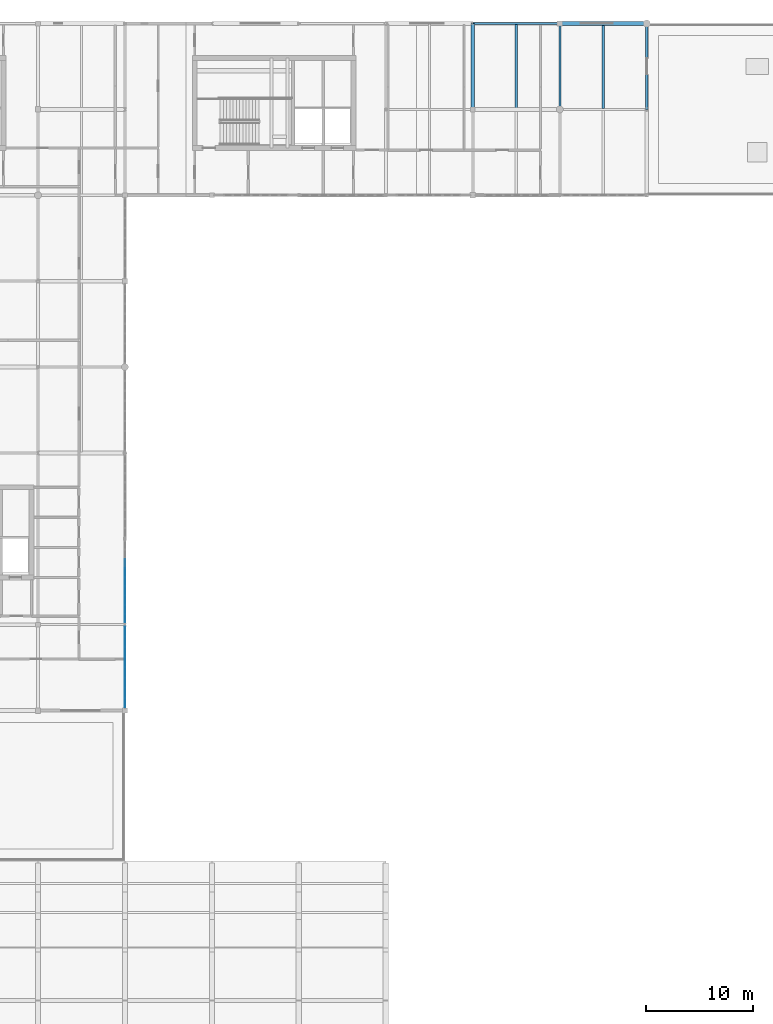
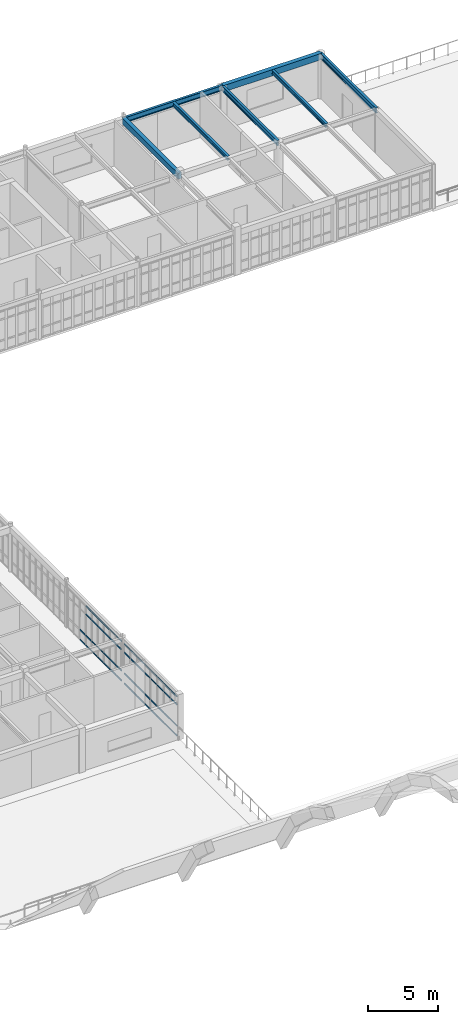
# One storey, part 15 of 36: 58 members, 7 beams, 2 elements without a shape of their own.
"""IFC4 building model written with IfcOpenShell, lengths in metres."""

from ifc_helpers import new_model, si_unit, direction, frame, origin, origin_2d, place, context, subcontext, project, spatial, rectangle, i_section, extrude, material, material_profile, profile_set, type_object, element, aggregate, save


model = new_model("IFC4")

# Units and contexts
model_context = context("Model", 3, precision=1e-05, world=origin(), true_north=direction((0.0, 1.0)))
body_context = subcontext(model_context, "Body", "Model", "MODEL_VIEW")
ifc_project = project(units=[si_unit("LENGTHUNIT", "METRE"), si_unit("AREAUNIT", "SQUARE_METRE"), si_unit("VOLUMEUNIT", "CUBIC_METRE"), si_unit("PLANEANGLEUNIT", "RADIAN"), si_unit("MASSUNIT", "GRAM", prefix="KILO")], contexts=[model_context])

# Site, building, storey
site_placement = place(None, origin())
site = spatial("IfcSite", under=ifc_project, at=site_placement, CompositionType="ELEMENT")
building_placement = place(site_placement, origin())
building = spatial("IfcBuilding", under=site, at=building_placement, Name="Tarnveldt Square Police Headquarters", CompositionType="ELEMENT")
storey_placement = place(building_placement, frame((0.0, 0.0, 24.89990234375)))
storey = spatial("IfcBuildingStorey", under=building, at=storey_placement, Name="L05", CompositionType="ELEMENT", Elevation=24.89990234375)

# Beams
ifc_material_1 = material(Name="Concrete 40 MPa", Category="concrete")
ifc_material_profile_1 = material_profile(ifc_material_1, rectangle(XDim=0.300048828125, YDim=0.5, at=origin_2d()), Name="RC-B300x500")
ifc_profile_set_1 = profile_set([ifc_material_profile_1], Name="Concrete 40 MPa")
beam_type_1 = type_object("IfcBeamType", Name="BM-RC300x500", PredefinedType="BEAM", material=ifc_profile_set_1)
beam_1_placement = place(storey_placement, frame((72.89990234375, 104.0, 3.610107421875), z_axis=(0.0, 1.0, 0.0), x_axis=(-1.0, 0.0, 0.0)))
element("IfcBeam", 1, at=beam_1_placement, inside=storey, type_object=beam_type_1, Name="L06 Grid Girder Y-1075", PredefinedType="BEAM", context=body_context, shape_type="SweptSolid", body=[
    extrude(rectangle(XDim=0.300048828125, YDim=0.5, at=origin_2d()), origin(), (0.0, 0.0, 1.0), 8.0),
])
ifc_material_profile_2 = material_profile(ifc_material_1, rectangle(XDim=0.35009765625, YDim=0.550048828125, at=origin_2d()), Name="RC-B350x550")
ifc_profile_set_2 = profile_set([ifc_material_profile_2], Name="Concrete 40 MPa")
beam_type_2 = type_object("IfcBeamType", Name="BM-RC350x550", PredefinedType="BEAM", material=ifc_profile_set_2)
beam_2_placement = place(storey_placement, frame((81.0, 112.0, 3.585205078125), z_axis=(1.0, 0.0, 0.0), x_axis=(0.0, 1.0, 0.0)))
element("IfcBeam", 2, at=beam_2_placement, inside=storey, type_object=beam_type_2, Name="L06 Grid Girder X-1044", PredefinedType="BEAM", context=body_context, shape_type="SweptSolid", body=[
    extrude(rectangle(XDim=0.35009765625, YDim=0.550048828125, at=origin_2d()), origin(), (0.0, 0.0, 1.0), 8.10009765625),
])
ifc_material_2 = material(Name="Steel 350W", Category="steel")
ifc_material_profile_3 = material_profile(ifc_material_2, i_section(OverallWidth=0.202880859375, OverallDepth=0.346923828125, WebThickness=0.0078125, FlangeThickness=0.013427734375, FilletRadius=0.01611328125, at=origin_2d()), Name="W360x64")
ifc_profile_set_3 = profile_set([ifc_material_profile_3], Name="Steel 350W")
beam_type_3 = type_object("IfcBeamType", Name="BM-W360x64", PredefinedType="JOIST", material=ifc_profile_set_3)
beam_3_placement = place(storey_placement, frame((85.050048828125, 104.080078125, 3.6865234375), z_axis=(0.0, 1.0, 0.0), x_axis=(-1.0, 0.0, 0.0)))
element("IfcBeam", 3, at=beam_3_placement, inside=storey, type_object=beam_type_3, Name="L06 Secondary Floor Joist 0255", PredefinedType="JOIST", context=body_context, shape_type="SweptSolid", body=[
    extrude(i_section(OverallWidth=0.202880859375, OverallDepth=0.346923828125, WebThickness=0.0078125, FlangeThickness=0.013427734375, FilletRadius=0.01611328125, at=origin_2d()), origin(), (0.0, 0.0, 1.0), 7.83984375),
])
ifc_material_profile_4 = material_profile(ifc_material_2, i_section(OverallWidth=0.205078125, OverallDepth=0.35400390625, WebThickness=0.009521484375, FlangeThickness=0.016845703125, FilletRadius=0.01611328125, at=origin_2d()), Name="W360x79")
ifc_profile_set_4 = profile_set([ifc_material_profile_4], Name="Steel 350W")
beam_type_4 = type_object("IfcBeamType", Name="BM-W360x79", PredefinedType="JOIST", material=ifc_profile_set_4)
beam_4_placement = place(storey_placement, frame((76.949951171875, 104.080078125, 3.68310546875), z_axis=(0.0, 1.0, 0.0), x_axis=(-1.0, 0.0, 0.0)))
element("IfcBeam", 4, at=beam_4_placement, inside=storey, type_object=beam_type_4, Name="L06 Secondary Floor Joist 0254", PredefinedType="JOIST", context=body_context, shape_type="SweptSolid", body=[
    extrude(i_section(OverallWidth=0.205078125, OverallDepth=0.35400390625, WebThickness=0.009521484375, FlangeThickness=0.016845703125, FilletRadius=0.01611328125, at=origin_2d()), origin(), (0.0, 0.0, 1.0), 7.83984375),
])
ifc_material_profile_5 = material_profile(ifc_material_2, i_section(OverallWidth=0.19189453125, OverallDepth=0.462890625, WebThickness=0.010498046875, FlangeThickness=0.017578125, FilletRadius=0.01806640625, at=origin_2d()), Name="W460x89")
ifc_profile_set_5 = profile_set([ifc_material_profile_5], Name="Steel 350W")
beam_type_5 = type_object("IfcBeamType", Name="BM-W460x89", PredefinedType="BEAM", material=ifc_profile_set_5)
beam_5_placement = place(storey_placement, frame((72.89990234375, 112.0, 3.628662109375), z_axis=(1.0, 0.0, 0.0), x_axis=(0.0, 1.0, 0.0)))
element("IfcBeam", 5, at=beam_5_placement, inside=storey, type_object=beam_type_5, Name="L06 Grid Girder X-1043", PredefinedType="BEAM", context=body_context, shape_type="SweptSolid", body=[
    extrude(i_section(OverallWidth=0.19189453125, OverallDepth=0.462890625, WebThickness=0.010498046875, FlangeThickness=0.017578125, FilletRadius=0.01806640625, at=origin_2d()), origin(), (0.0, 0.0, 1.0), 8.10009765625),
])
for number, where, z_axis, x_axis, name in (
    (6, (81.0, 104.0, 3.628662109375), (0.0, 1.0, 0.0), (-1.0, 0.0, 0.0), "L06 Grid Girder Y-1077"),
    (7, (89.10009765625, 104.0, 3.628662109375), (0.0, 1.0, 0.0), (-1.0, 0.0, 0.0), "L06 Grid Girder Y-1079"),
):
    element("IfcBeam", number, at=place(storey_placement, frame(where, z_axis=z_axis, x_axis=x_axis)), inside=storey, type_object=beam_type_5, Name=name, PredefinedType="BEAM", context=body_context, shape_type="SweptSolid", body=[
        extrude(i_section(OverallWidth=0.19189453125, OverallDepth=0.462890625, WebThickness=0.010498046875, FlangeThickness=0.017578125, FilletRadius=0.01806640625, at=origin_2d()), origin(), (0.0, 0.0, 1.0), 8.0),
    ])

# Curtain wall, members
ifc_material_3 = material(Name="Triple-glazed low-e laminated vision glass", Category="glass")
curtain_wall_type_1 = type_object("IfcCurtainWallType", Name="CW-UP-761x349", PredefinedType="USERDEFINED", material=ifc_material_3)
curtain_wall_1_placement = place(storey_placement, origin())
curtain_wall_1 = element("IfcCurtainWall", 8, at=curtain_wall_1_placement, inside=storey, type_object=curtain_wall_type_1, Name="L05 Curtain Wall CW-L05-083", ObjectType="GLAZED CURTAIN WALL", PredefinedType="USERDEFINED")
ifc_material_4 = material(Name="Thermally broken anodised aluminium 6063-T6", Category="aluminium")
ifc_material_profile_6 = material_profile(ifc_material_4, rectangle(XDim=0.06494140625, YDim=0.1201171875, at=origin_2d()), Name="CW-T65x120")
ifc_profile_set_6 = profile_set([ifc_material_profile_6], Name="Thermally broken anodised aluminium 6063-T6")
member_type = type_object("IfcMemberType", Name="CWT-65x120", PredefinedType="USERDEFINED", material=ifc_profile_set_6)
member_1_placement = place(storey_placement, frame((40.5, 48.304931640625, 0.03271484375), z_axis=(0.0, 1.0, 0.0), x_axis=(-1.0, 0.0, 0.0)))
member_1 = element("IfcMember", 9, at=member_1_placement, type_object=member_type, Name="CW-UP41 transom 1.1", ObjectType="TRANSOM", PredefinedType="USERDEFINED", context=body_context, shape_type="SweptSolid", body=[
    extrude(rectangle(XDim=0.06494140625, YDim=0.1201171875, at=origin_2d()), origin(), (0.0, 0.0, 1.0), 0.8544921875),
])
member_2_placement = place(storey_placement, frame((40.5, 48.304931640625, 0.900146484375), z_axis=(0.0, 1.0, 0.0), x_axis=(-1.0, 0.0, 0.0)))
member_2 = element("IfcMember", 10, at=member_2_placement, type_object=member_type, Name="CW-UP41 transom 1.2", ObjectType="TRANSOM", PredefinedType="USERDEFINED", context=body_context, shape_type="SweptSolid", body=[
    extrude(rectangle(XDim=0.06494140625, YDim=0.1201171875, at=origin_2d()), origin(), (0.0, 0.0, 1.0), 0.8544921875),
])
member_3_placement = place(storey_placement, frame((40.5, 48.304931640625, 2.739013671875), z_axis=(0.0, 1.0, 0.0), x_axis=(-1.0, 0.0, 0.0)))
member_3 = element("IfcMember", 11, at=member_3_placement, type_object=member_type, Name="CW-UP41 transom 1.3", ObjectType="TRANSOM", PredefinedType="USERDEFINED", context=body_context, shape_type="SweptSolid", body=[
    extrude(rectangle(XDim=0.06494140625, YDim=0.1201171875, at=origin_2d()), origin(), (0.0, 0.0, 1.0), 0.8544921875),
])
member_4_placement = place(storey_placement, frame((40.5, 48.304931640625, 3.45654296875), z_axis=(0.0, 1.0, 0.0), x_axis=(-1.0, 0.0, 0.0)))
member_4 = element("IfcMember", 12, at=member_4_placement, type_object=member_type, Name="CW-UP41 transom 1.4", ObjectType="TRANSOM", PredefinedType="USERDEFINED", context=body_context, shape_type="SweptSolid", body=[
    extrude(rectangle(XDim=0.06494140625, YDim=0.1201171875, at=origin_2d()), origin(), (0.0, 0.0, 1.0), 0.8544921875),
])
member_5_placement = place(storey_placement, frame((40.5, 49.224365234375, 0.03271484375), z_axis=(0.0, 1.0, 0.0), x_axis=(-1.0, 0.0, 0.0)))
member_5 = element("IfcMember", 13, at=member_5_placement, type_object=member_type, Name="CW-UP41 transom 2.1", ObjectType="TRANSOM", PredefinedType="USERDEFINED", context=body_context, shape_type="SweptSolid", body=[
    extrude(rectangle(XDim=0.06494140625, YDim=0.1201171875, at=origin_2d()), origin(), (0.0, 0.0, 1.0), 0.886962890625),
])
member_6_placement = place(storey_placement, frame((40.5, 49.224365234375, 0.900146484375), z_axis=(0.0, 1.0, 0.0), x_axis=(-1.0, 0.0, 0.0)))
member_6 = element("IfcMember", 14, at=member_6_placement, type_object=member_type, Name="CW-UP41 transom 2.2", ObjectType="TRANSOM", PredefinedType="USERDEFINED", context=body_context, shape_type="SweptSolid", body=[
    extrude(rectangle(XDim=0.06494140625, YDim=0.1201171875, at=origin_2d()), origin(), (0.0, 0.0, 1.0), 0.886962890625),
])
member_7_placement = place(storey_placement, frame((40.5, 49.224365234375, 2.739013671875), z_axis=(0.0, 1.0, 0.0), x_axis=(-1.0, 0.0, 0.0)))
member_7 = element("IfcMember", 15, at=member_7_placement, type_object=member_type, Name="CW-UP41 transom 2.3", ObjectType="TRANSOM", PredefinedType="USERDEFINED", context=body_context, shape_type="SweptSolid", body=[
    extrude(rectangle(XDim=0.06494140625, YDim=0.1201171875, at=origin_2d()), origin(), (0.0, 0.0, 1.0), 0.886962890625),
])
member_8_placement = place(storey_placement, frame((40.5, 49.224365234375, 3.45654296875), z_axis=(0.0, 1.0, 0.0), x_axis=(-1.0, 0.0, 0.0)))
member_8 = element("IfcMember", 16, at=member_8_placement, type_object=member_type, Name="CW-UP41 transom 2.4", ObjectType="TRANSOM", PredefinedType="USERDEFINED", context=body_context, shape_type="SweptSolid", body=[
    extrude(rectangle(XDim=0.06494140625, YDim=0.1201171875, at=origin_2d()), origin(), (0.0, 0.0, 1.0), 0.886962890625),
])
member_9_placement = place(storey_placement, frame((40.5, 50.17626953125, 0.03271484375), z_axis=(0.0, 1.0, 0.0), x_axis=(-1.0, 0.0, 0.0)))
member_9 = element("IfcMember", 17, at=member_9_placement, type_object=member_type, Name="CW-UP41 transom 3.1", ObjectType="TRANSOM", PredefinedType="USERDEFINED", context=body_context, shape_type="SweptSolid", body=[
    extrude(rectangle(XDim=0.06494140625, YDim=0.1201171875, at=origin_2d()), origin(), (0.0, 0.0, 1.0), 0.886962890625),
])
member_10_placement = place(storey_placement, frame((40.5, 50.17626953125, 0.900146484375), z_axis=(0.0, 1.0, 0.0), x_axis=(-1.0, 0.0, 0.0)))
member_10 = element("IfcMember", 18, at=member_10_placement, type_object=member_type, Name="CW-UP41 transom 3.2", ObjectType="TRANSOM", PredefinedType="USERDEFINED", context=body_context, shape_type="SweptSolid", body=[
    extrude(rectangle(XDim=0.06494140625, YDim=0.1201171875, at=origin_2d()), origin(), (0.0, 0.0, 1.0), 0.886962890625),
])
member_11_placement = place(storey_placement, frame((40.5, 50.17626953125, 2.739013671875), z_axis=(0.0, 1.0, 0.0), x_axis=(-1.0, 0.0, 0.0)))
member_11 = element("IfcMember", 19, at=member_11_placement, type_object=member_type, Name="CW-UP41 transom 3.3", ObjectType="TRANSOM", PredefinedType="USERDEFINED", context=body_context, shape_type="SweptSolid", body=[
    extrude(rectangle(XDim=0.06494140625, YDim=0.1201171875, at=origin_2d()), origin(), (0.0, 0.0, 1.0), 0.886962890625),
])
member_12_placement = place(storey_placement, frame((40.5, 50.17626953125, 3.45654296875), z_axis=(0.0, 1.0, 0.0), x_axis=(-1.0, 0.0, 0.0)))
member_12 = element("IfcMember", 20, at=member_12_placement, type_object=member_type, Name="CW-UP41 transom 3.4", ObjectType="TRANSOM", PredefinedType="USERDEFINED", context=body_context, shape_type="SweptSolid", body=[
    extrude(rectangle(XDim=0.06494140625, YDim=0.1201171875, at=origin_2d()), origin(), (0.0, 0.0, 1.0), 0.886962890625),
])
member_13_placement = place(storey_placement, frame((40.5, 51.128173828125, 0.03271484375), z_axis=(0.0, 1.0, 0.0), x_axis=(-1.0, 0.0, 0.0)))
member_13 = element("IfcMember", 21, at=member_13_placement, type_object=member_type, Name="CW-UP41 transom 4.1", ObjectType="TRANSOM", PredefinedType="USERDEFINED", context=body_context, shape_type="SweptSolid", body=[
    extrude(rectangle(XDim=0.06494140625, YDim=0.1201171875, at=origin_2d()), origin(), (0.0, 0.0, 1.0), 0.88671875),
])
member_14_placement = place(storey_placement, frame((40.5, 51.128173828125, 0.900146484375), z_axis=(0.0, 1.0, 0.0), x_axis=(-1.0, 0.0, 0.0)))
member_14 = element("IfcMember", 22, at=member_14_placement, type_object=member_type, Name="CW-UP41 transom 4.2", ObjectType="TRANSOM", PredefinedType="USERDEFINED", context=body_context, shape_type="SweptSolid", body=[
    extrude(rectangle(XDim=0.06494140625, YDim=0.1201171875, at=origin_2d()), origin(), (0.0, 0.0, 1.0), 0.88671875),
])
member_15_placement = place(storey_placement, frame((40.5, 51.128173828125, 2.739013671875), z_axis=(0.0, 1.0, 0.0), x_axis=(-1.0, 0.0, 0.0)))
member_15 = element("IfcMember", 23, at=member_15_placement, type_object=member_type, Name="CW-UP41 transom 4.3", ObjectType="TRANSOM", PredefinedType="USERDEFINED", context=body_context, shape_type="SweptSolid", body=[
    extrude(rectangle(XDim=0.06494140625, YDim=0.1201171875, at=origin_2d()), origin(), (0.0, 0.0, 1.0), 0.88671875),
])
member_16_placement = place(storey_placement, frame((40.5, 51.128173828125, 3.45654296875), z_axis=(0.0, 1.0, 0.0), x_axis=(-1.0, 0.0, 0.0)))
member_16 = element("IfcMember", 24, at=member_16_placement, type_object=member_type, Name="CW-UP41 transom 4.4", ObjectType="TRANSOM", PredefinedType="USERDEFINED", context=body_context, shape_type="SweptSolid", body=[
    extrude(rectangle(XDim=0.06494140625, YDim=0.1201171875, at=origin_2d()), origin(), (0.0, 0.0, 1.0), 0.88671875),
])
member_17_placement = place(storey_placement, frame((40.5, 52.080078125, 0.03271484375), z_axis=(0.0, 1.0, 0.0), x_axis=(-1.0, 0.0, 0.0)))
member_17 = element("IfcMember", 25, at=member_17_placement, type_object=member_type, Name="CW-UP41 transom 5.1", ObjectType="TRANSOM", PredefinedType="USERDEFINED", context=body_context, shape_type="SweptSolid", body=[
    extrude(rectangle(XDim=0.06494140625, YDim=0.1201171875, at=origin_2d()), origin(), (0.0, 0.0, 1.0), 0.88671875),
])
member_18_placement = place(storey_placement, frame((40.5, 52.080078125, 0.900146484375), z_axis=(0.0, 1.0, 0.0), x_axis=(-1.0, 0.0, 0.0)))
member_18 = element("IfcMember", 26, at=member_18_placement, type_object=member_type, Name="CW-UP41 transom 5.2", ObjectType="TRANSOM", PredefinedType="USERDEFINED", context=body_context, shape_type="SweptSolid", body=[
    extrude(rectangle(XDim=0.06494140625, YDim=0.1201171875, at=origin_2d()), origin(), (0.0, 0.0, 1.0), 0.88671875),
])
member_19_placement = place(storey_placement, frame((40.5, 52.080078125, 2.739013671875), z_axis=(0.0, 1.0, 0.0), x_axis=(-1.0, 0.0, 0.0)))
member_19 = element("IfcMember", 27, at=member_19_placement, type_object=member_type, Name="CW-UP41 transom 5.3", ObjectType="TRANSOM", PredefinedType="USERDEFINED", context=body_context, shape_type="SweptSolid", body=[
    extrude(rectangle(XDim=0.06494140625, YDim=0.1201171875, at=origin_2d()), origin(), (0.0, 0.0, 1.0), 0.88671875),
])
member_20_placement = place(storey_placement, frame((40.5, 52.080078125, 3.45654296875), z_axis=(0.0, 1.0, 0.0), x_axis=(-1.0, 0.0, 0.0)))
member_20 = element("IfcMember", 28, at=member_20_placement, type_object=member_type, Name="CW-UP41 transom 5.4", ObjectType="TRANSOM", PredefinedType="USERDEFINED", context=body_context, shape_type="SweptSolid", body=[
    extrude(rectangle(XDim=0.06494140625, YDim=0.1201171875, at=origin_2d()), origin(), (0.0, 0.0, 1.0), 0.88671875),
])
member_21_placement = place(storey_placement, frame((40.5, 53.031982421875, 0.03271484375), z_axis=(0.0, 1.0, 0.0), x_axis=(-1.0, 0.0, 0.0)))
member_21 = element("IfcMember", 29, at=member_21_placement, type_object=member_type, Name="CW-UP41 transom 6.1", ObjectType="TRANSOM", PredefinedType="USERDEFINED", context=body_context, shape_type="SweptSolid", body=[
    extrude(rectangle(XDim=0.06494140625, YDim=0.1201171875, at=origin_2d()), origin(), (0.0, 0.0, 1.0), 0.88671875),
])
member_22_placement = place(storey_placement, frame((40.5, 53.031982421875, 0.900146484375), z_axis=(0.0, 1.0, 0.0), x_axis=(-1.0, 0.0, 0.0)))
member_22 = element("IfcMember", 30, at=member_22_placement, type_object=member_type, Name="CW-UP41 transom 6.2", ObjectType="TRANSOM", PredefinedType="USERDEFINED", context=body_context, shape_type="SweptSolid", body=[
    extrude(rectangle(XDim=0.06494140625, YDim=0.1201171875, at=origin_2d()), origin(), (0.0, 0.0, 1.0), 0.88671875),
])
member_23_placement = place(storey_placement, frame((40.5, 53.031982421875, 2.739013671875), z_axis=(0.0, 1.0, 0.0), x_axis=(-1.0, 0.0, 0.0)))
member_23 = element("IfcMember", 31, at=member_23_placement, type_object=member_type, Name="CW-UP41 transom 6.3", ObjectType="TRANSOM", PredefinedType="USERDEFINED", context=body_context, shape_type="SweptSolid", body=[
    extrude(rectangle(XDim=0.06494140625, YDim=0.1201171875, at=origin_2d()), origin(), (0.0, 0.0, 1.0), 0.88671875),
])
member_24_placement = place(storey_placement, frame((40.5, 53.031982421875, 3.45654296875), z_axis=(0.0, 1.0, 0.0), x_axis=(-1.0, 0.0, 0.0)))
member_24 = element("IfcMember", 32, at=member_24_placement, type_object=member_type, Name="CW-UP41 transom 6.4", ObjectType="TRANSOM", PredefinedType="USERDEFINED", context=body_context, shape_type="SweptSolid", body=[
    extrude(rectangle(XDim=0.06494140625, YDim=0.1201171875, at=origin_2d()), origin(), (0.0, 0.0, 1.0), 0.88671875),
])
member_25_placement = place(storey_placement, frame((40.5, 53.983642578125, 0.03271484375), z_axis=(0.0, 1.0, 0.0), x_axis=(-1.0, 0.0, 0.0)))
member_25 = element("IfcMember", 33, at=member_25_placement, type_object=member_type, Name="CW-UP41 transom 7.1", ObjectType="TRANSOM", PredefinedType="USERDEFINED", context=body_context, shape_type="SweptSolid", body=[
    extrude(rectangle(XDim=0.06494140625, YDim=0.1201171875, at=origin_2d()), origin(), (0.0, 0.0, 1.0), 0.886962890625),
])
member_26_placement = place(storey_placement, frame((40.5, 53.983642578125, 0.900146484375), z_axis=(0.0, 1.0, 0.0), x_axis=(-1.0, 0.0, 0.0)))
member_26 = element("IfcMember", 34, at=member_26_placement, type_object=member_type, Name="CW-UP41 transom 7.2", ObjectType="TRANSOM", PredefinedType="USERDEFINED", context=body_context, shape_type="SweptSolid", body=[
    extrude(rectangle(XDim=0.06494140625, YDim=0.1201171875, at=origin_2d()), origin(), (0.0, 0.0, 1.0), 0.886962890625),
])
member_27_placement = place(storey_placement, frame((40.5, 53.983642578125, 2.739013671875), z_axis=(0.0, 1.0, 0.0), x_axis=(-1.0, 0.0, 0.0)))
member_27 = element("IfcMember", 35, at=member_27_placement, type_object=member_type, Name="CW-UP41 transom 7.3", ObjectType="TRANSOM", PredefinedType="USERDEFINED", context=body_context, shape_type="SweptSolid", body=[
    extrude(rectangle(XDim=0.06494140625, YDim=0.1201171875, at=origin_2d()), origin(), (0.0, 0.0, 1.0), 0.886962890625),
])
member_28_placement = place(storey_placement, frame((40.5, 53.983642578125, 3.45654296875), z_axis=(0.0, 1.0, 0.0), x_axis=(-1.0, 0.0, 0.0)))
member_28 = element("IfcMember", 36, at=member_28_placement, type_object=member_type, Name="CW-UP41 transom 7.4", ObjectType="TRANSOM", PredefinedType="USERDEFINED", context=body_context, shape_type="SweptSolid", body=[
    extrude(rectangle(XDim=0.06494140625, YDim=0.1201171875, at=origin_2d()), origin(), (0.0, 0.0, 1.0), 0.886962890625),
])
member_29_placement = place(storey_placement, frame((40.5, 54.935546875, 0.03271484375), z_axis=(0.0, 1.0, 0.0), x_axis=(-1.0, 0.0, 0.0)))
member_29 = element("IfcMember", 37, at=member_29_placement, type_object=member_type, Name="CW-UP41 transom 8.1", ObjectType="TRANSOM", PredefinedType="USERDEFINED", context=body_context, shape_type="SweptSolid", body=[
    extrude(rectangle(XDim=0.06494140625, YDim=0.1201171875, at=origin_2d()), origin(), (0.0, 0.0, 1.0), 0.8544921875),
])
member_30_placement = place(storey_placement, frame((40.5, 54.935546875, 0.900146484375), z_axis=(0.0, 1.0, 0.0), x_axis=(-1.0, 0.0, 0.0)))
member_30 = element("IfcMember", 38, at=member_30_placement, type_object=member_type, Name="CW-UP41 transom 8.2", ObjectType="TRANSOM", PredefinedType="USERDEFINED", context=body_context, shape_type="SweptSolid", body=[
    extrude(rectangle(XDim=0.06494140625, YDim=0.1201171875, at=origin_2d()), origin(), (0.0, 0.0, 1.0), 0.8544921875),
])
member_31_placement = place(storey_placement, frame((40.5, 54.935546875, 2.739013671875), z_axis=(0.0, 1.0, 0.0), x_axis=(-1.0, 0.0, 0.0)))
member_31 = element("IfcMember", 39, at=member_31_placement, type_object=member_type, Name="CW-UP41 transom 8.3", ObjectType="TRANSOM", PredefinedType="USERDEFINED", context=body_context, shape_type="SweptSolid", body=[
    extrude(rectangle(XDim=0.06494140625, YDim=0.1201171875, at=origin_2d()), origin(), (0.0, 0.0, 1.0), 0.8544921875),
])
member_32_placement = place(storey_placement, frame((40.5, 54.935546875, 3.45654296875), z_axis=(0.0, 1.0, 0.0), x_axis=(-1.0, 0.0, 0.0)))
member_32 = element("IfcMember", 40, at=member_32_placement, type_object=member_type, Name="CW-UP41 transom 8.4", ObjectType="TRANSOM", PredefinedType="USERDEFINED", context=body_context, shape_type="SweptSolid", body=[
    extrude(rectangle(XDim=0.06494140625, YDim=0.1201171875, at=origin_2d()), origin(), (0.0, 0.0, 1.0), 0.8544921875),
])
aggregate(curtain_wall_1, [member_1, member_2, member_3, member_4, member_5, member_6, member_7, member_8, member_9, member_10, member_11, member_12, member_13, member_14, member_15, member_16, member_17, member_18, member_19, member_20, member_21, member_22, member_23, member_24, member_25, member_26, member_27, member_28, member_29, member_30, member_31, member_32])

curtain_wall_type_2 = type_object("IfcCurtainWallType", Name="CW-UP-771x349", PredefinedType="USERDEFINED", material=ifc_material_3)
curtain_wall_2_placement = place(storey_placement, origin())
curtain_wall_2 = element("IfcCurtainWall", 41, at=curtain_wall_2_placement, inside=storey, type_object=curtain_wall_type_2, Name="L05 Curtain Wall CW-L05-084", ObjectType="GLAZED CURTAIN WALL", PredefinedType="USERDEFINED")
member_33_placement = place(storey_placement, frame((40.5, 56.2099609375, 0.03271484375), z_axis=(0.0, 1.0, 0.0), x_axis=(-1.0, 0.0, 0.0)))
member_33 = element("IfcMember", 42, at=member_33_placement, type_object=member_type, Name="CW-UP42 transom 1.1", ObjectType="TRANSOM", PredefinedType="USERDEFINED", context=body_context, shape_type="SweptSolid", body=[
    extrude(rectangle(XDim=0.06494140625, YDim=0.1201171875, at=origin_2d()), origin(), (0.0, 0.0, 1.0), 0.759521484375),
])
member_34_placement = place(storey_placement, frame((40.5, 56.2099609375, 0.900146484375), z_axis=(0.0, 1.0, 0.0), x_axis=(-1.0, 0.0, 0.0)))
member_34 = element("IfcMember", 43, at=member_34_placement, type_object=member_type, Name="CW-UP42 transom 1.2", ObjectType="TRANSOM", PredefinedType="USERDEFINED", context=body_context, shape_type="SweptSolid", body=[
    extrude(rectangle(XDim=0.06494140625, YDim=0.1201171875, at=origin_2d()), origin(), (0.0, 0.0, 1.0), 0.759521484375),
])
member_35_placement = place(storey_placement, frame((40.5, 56.2099609375, 2.739013671875), z_axis=(0.0, 1.0, 0.0), x_axis=(-1.0, 0.0, 0.0)))
member_35 = element("IfcMember", 44, at=member_35_placement, type_object=member_type, Name="CW-UP42 transom 1.3", ObjectType="TRANSOM", PredefinedType="USERDEFINED", context=body_context, shape_type="SweptSolid", body=[
    extrude(rectangle(XDim=0.06494140625, YDim=0.1201171875, at=origin_2d()), origin(), (0.0, 0.0, 1.0), 0.759521484375),
])
member_36_placement = place(storey_placement, frame((40.5, 56.2099609375, 3.45654296875), z_axis=(0.0, 1.0, 0.0), x_axis=(-1.0, 0.0, 0.0)))
member_36 = element("IfcMember", 45, at=member_36_placement, type_object=member_type, Name="CW-UP42 transom 1.4", ObjectType="TRANSOM", PredefinedType="USERDEFINED", context=body_context, shape_type="SweptSolid", body=[
    extrude(rectangle(XDim=0.06494140625, YDim=0.1201171875, at=origin_2d()), origin(), (0.0, 0.0, 1.0), 0.759521484375),
])
member_37_placement = place(storey_placement, frame((40.5, 57.034423828125, 0.03271484375), z_axis=(0.0, 1.0, 0.0), x_axis=(-1.0, 0.0, 0.0)))
member_37 = element("IfcMember", 46, at=member_37_placement, type_object=member_type, Name="CW-UP42 transom 2.1", ObjectType="TRANSOM", PredefinedType="USERDEFINED", context=body_context, shape_type="SweptSolid", body=[
    extrude(rectangle(XDim=0.06494140625, YDim=0.1201171875, at=origin_2d()), origin(), (0.0, 0.0, 1.0), 0.7919921875),
])
member_38_placement = place(storey_placement, frame((40.5, 57.034423828125, 0.900146484375), z_axis=(0.0, 1.0, 0.0), x_axis=(-1.0, 0.0, 0.0)))
member_38 = element("IfcMember", 47, at=member_38_placement, type_object=member_type, Name="CW-UP42 transom 2.2", ObjectType="TRANSOM", PredefinedType="USERDEFINED", context=body_context, shape_type="SweptSolid", body=[
    extrude(rectangle(XDim=0.06494140625, YDim=0.1201171875, at=origin_2d()), origin(), (0.0, 0.0, 1.0), 0.7919921875),
])
member_39_placement = place(storey_placement, frame((40.5, 57.034423828125, 2.739013671875), z_axis=(0.0, 1.0, 0.0), x_axis=(-1.0, 0.0, 0.0)))
member_39 = element("IfcMember", 48, at=member_39_placement, type_object=member_type, Name="CW-UP42 transom 2.3", ObjectType="TRANSOM", PredefinedType="USERDEFINED", context=body_context, shape_type="SweptSolid", body=[
    extrude(rectangle(XDim=0.06494140625, YDim=0.1201171875, at=origin_2d()), origin(), (0.0, 0.0, 1.0), 0.7919921875),
])
member_40_placement = place(storey_placement, frame((40.5, 57.034423828125, 3.45654296875), z_axis=(0.0, 1.0, 0.0), x_axis=(-1.0, 0.0, 0.0)))
member_40 = element("IfcMember", 49, at=member_40_placement, type_object=member_type, Name="CW-UP42 transom 2.4", ObjectType="TRANSOM", PredefinedType="USERDEFINED", context=body_context, shape_type="SweptSolid", body=[
    extrude(rectangle(XDim=0.06494140625, YDim=0.1201171875, at=origin_2d()), origin(), (0.0, 0.0, 1.0), 0.7919921875),
])
member_41_placement = place(storey_placement, frame((40.5, 57.8916015625, 0.03271484375), z_axis=(0.0, 1.0, 0.0), x_axis=(-1.0, 0.0, 0.0)))
member_41 = element("IfcMember", 50, at=member_41_placement, type_object=member_type, Name="CW-UP42 transom 3.1", ObjectType="TRANSOM", PredefinedType="USERDEFINED", context=body_context, shape_type="SweptSolid", body=[
    extrude(rectangle(XDim=0.06494140625, YDim=0.1201171875, at=origin_2d()), origin(), (0.0, 0.0, 1.0), 0.7919921875),
])
member_42_placement = place(storey_placement, frame((40.5, 57.8916015625, 0.900146484375), z_axis=(0.0, 1.0, 0.0), x_axis=(-1.0, 0.0, 0.0)))
member_42 = element("IfcMember", 51, at=member_42_placement, type_object=member_type, Name="CW-UP42 transom 3.2", ObjectType="TRANSOM", PredefinedType="USERDEFINED", context=body_context, shape_type="SweptSolid", body=[
    extrude(rectangle(XDim=0.06494140625, YDim=0.1201171875, at=origin_2d()), origin(), (0.0, 0.0, 1.0), 0.7919921875),
])
member_43_placement = place(storey_placement, frame((40.5, 57.8916015625, 2.739013671875), z_axis=(0.0, 1.0, 0.0), x_axis=(-1.0, 0.0, 0.0)))
member_43 = element("IfcMember", 52, at=member_43_placement, type_object=member_type, Name="CW-UP42 transom 3.3", ObjectType="TRANSOM", PredefinedType="USERDEFINED", context=body_context, shape_type="SweptSolid", body=[
    extrude(rectangle(XDim=0.06494140625, YDim=0.1201171875, at=origin_2d()), origin(), (0.0, 0.0, 1.0), 0.7919921875),
])
member_44_placement = place(storey_placement, frame((40.5, 57.8916015625, 3.45654296875), z_axis=(0.0, 1.0, 0.0), x_axis=(-1.0, 0.0, 0.0)))
member_44 = element("IfcMember", 53, at=member_44_placement, type_object=member_type, Name="CW-UP42 transom 3.4", ObjectType="TRANSOM", PredefinedType="USERDEFINED", context=body_context, shape_type="SweptSolid", body=[
    extrude(rectangle(XDim=0.06494140625, YDim=0.1201171875, at=origin_2d()), origin(), (0.0, 0.0, 1.0), 0.7919921875),
])
member_45_placement = place(storey_placement, frame((40.5, 58.74853515625, 0.03271484375), z_axis=(0.0, 1.0, 0.0), x_axis=(-1.0, 0.0, 0.0)))
member_45 = element("IfcMember", 54, at=member_45_placement, type_object=member_type, Name="CW-UP42 transom 4.1", ObjectType="TRANSOM", PredefinedType="USERDEFINED", context=body_context, shape_type="SweptSolid", body=[
    extrude(rectangle(XDim=0.06494140625, YDim=0.1201171875, at=origin_2d()), origin(), (0.0, 0.0, 1.0), 0.7919921875),
])
member_46_placement = place(storey_placement, frame((40.5, 58.74853515625, 0.900146484375), z_axis=(0.0, 1.0, 0.0), x_axis=(-1.0, 0.0, 0.0)))
member_46 = element("IfcMember", 55, at=member_46_placement, type_object=member_type, Name="CW-UP42 transom 4.2", ObjectType="TRANSOM", PredefinedType="USERDEFINED", context=body_context, shape_type="SweptSolid", body=[
    extrude(rectangle(XDim=0.06494140625, YDim=0.1201171875, at=origin_2d()), origin(), (0.0, 0.0, 1.0), 0.7919921875),
])
member_47_placement = place(storey_placement, frame((40.5, 58.74853515625, 2.739013671875), z_axis=(0.0, 1.0, 0.0), x_axis=(-1.0, 0.0, 0.0)))
member_47 = element("IfcMember", 56, at=member_47_placement, type_object=member_type, Name="CW-UP42 transom 4.3", ObjectType="TRANSOM", PredefinedType="USERDEFINED", context=body_context, shape_type="SweptSolid", body=[
    extrude(rectangle(XDim=0.06494140625, YDim=0.1201171875, at=origin_2d()), origin(), (0.0, 0.0, 1.0), 0.7919921875),
])
member_48_placement = place(storey_placement, frame((40.5, 58.74853515625, 3.45654296875), z_axis=(0.0, 1.0, 0.0), x_axis=(-1.0, 0.0, 0.0)))
member_48 = element("IfcMember", 57, at=member_48_placement, type_object=member_type, Name="CW-UP42 transom 4.4", ObjectType="TRANSOM", PredefinedType="USERDEFINED", context=body_context, shape_type="SweptSolid", body=[
    extrude(rectangle(XDim=0.06494140625, YDim=0.1201171875, at=origin_2d()), origin(), (0.0, 0.0, 1.0), 0.7919921875),
])
member_49_placement = place(storey_placement, frame((40.5, 59.60546875, 0.03271484375), z_axis=(0.0, 1.0, 0.0), x_axis=(-1.0, 0.0, 0.0)))
member_49 = element("IfcMember", 58, at=member_49_placement, type_object=member_type, Name="CW-UP42 transom 5.1", ObjectType="TRANSOM", PredefinedType="USERDEFINED", context=body_context, shape_type="SweptSolid", body=[
    extrude(rectangle(XDim=0.06494140625, YDim=0.1201171875, at=origin_2d()), origin(), (0.0, 0.0, 1.0), 0.7919921875),
])
member_50_placement = place(storey_placement, frame((40.5, 59.60546875, 0.900146484375), z_axis=(0.0, 1.0, 0.0), x_axis=(-1.0, 0.0, 0.0)))
member_50 = element("IfcMember", 59, at=member_50_placement, type_object=member_type, Name="CW-UP42 transom 5.2", ObjectType="TRANSOM", PredefinedType="USERDEFINED", context=body_context, shape_type="SweptSolid", body=[
    extrude(rectangle(XDim=0.06494140625, YDim=0.1201171875, at=origin_2d()), origin(), (0.0, 0.0, 1.0), 0.7919921875),
])
member_51_placement = place(storey_placement, frame((40.5, 59.60546875, 2.739013671875), z_axis=(0.0, 1.0, 0.0), x_axis=(-1.0, 0.0, 0.0)))
member_51 = element("IfcMember", 60, at=member_51_placement, type_object=member_type, Name="CW-UP42 transom 5.3", ObjectType="TRANSOM", PredefinedType="USERDEFINED", context=body_context, shape_type="SweptSolid", body=[
    extrude(rectangle(XDim=0.06494140625, YDim=0.1201171875, at=origin_2d()), origin(), (0.0, 0.0, 1.0), 0.7919921875),
])
member_52_placement = place(storey_placement, frame((40.5, 59.60546875, 3.45654296875), z_axis=(0.0, 1.0, 0.0), x_axis=(-1.0, 0.0, 0.0)))
member_52 = element("IfcMember", 61, at=member_52_placement, type_object=member_type, Name="CW-UP42 transom 5.4", ObjectType="TRANSOM", PredefinedType="USERDEFINED", context=body_context, shape_type="SweptSolid", body=[
    extrude(rectangle(XDim=0.06494140625, YDim=0.1201171875, at=origin_2d()), origin(), (0.0, 0.0, 1.0), 0.7919921875),
])
member_53_placement = place(storey_placement, frame((40.5, 60.46240234375, 0.03271484375), z_axis=(0.0, 1.0, 0.0), x_axis=(-1.0, 0.0, 0.0)))
member_53 = element("IfcMember", 62, at=member_53_placement, type_object=member_type, Name="CW-UP42 transom 6.1", ObjectType="TRANSOM", PredefinedType="USERDEFINED", context=body_context, shape_type="SweptSolid", body=[
    extrude(rectangle(XDim=0.06494140625, YDim=0.1201171875, at=origin_2d()), origin(), (0.0, 0.0, 1.0), 0.7919921875),
])
member_54_placement = place(storey_placement, frame((40.5, 60.46240234375, 0.900146484375), z_axis=(0.0, 1.0, 0.0), x_axis=(-1.0, 0.0, 0.0)))
member_54 = element("IfcMember", 63, at=member_54_placement, type_object=member_type, Name="CW-UP42 transom 6.2", ObjectType="TRANSOM", PredefinedType="USERDEFINED", context=body_context, shape_type="SweptSolid", body=[
    extrude(rectangle(XDim=0.06494140625, YDim=0.1201171875, at=origin_2d()), origin(), (0.0, 0.0, 1.0), 0.7919921875),
])
member_55_placement = place(storey_placement, frame((40.5, 60.46240234375, 2.739013671875), z_axis=(0.0, 1.0, 0.0), x_axis=(-1.0, 0.0, 0.0)))
member_55 = element("IfcMember", 64, at=member_55_placement, type_object=member_type, Name="CW-UP42 transom 6.3", ObjectType="TRANSOM", PredefinedType="USERDEFINED", context=body_context, shape_type="SweptSolid", body=[
    extrude(rectangle(XDim=0.06494140625, YDim=0.1201171875, at=origin_2d()), origin(), (0.0, 0.0, 1.0), 0.7919921875),
])
member_56_placement = place(storey_placement, frame((40.5, 60.46240234375, 3.45654296875), z_axis=(0.0, 1.0, 0.0), x_axis=(-1.0, 0.0, 0.0)))
member_56 = element("IfcMember", 65, at=member_56_placement, type_object=member_type, Name="CW-UP42 transom 6.4", ObjectType="TRANSOM", PredefinedType="USERDEFINED", context=body_context, shape_type="SweptSolid", body=[
    extrude(rectangle(XDim=0.06494140625, YDim=0.1201171875, at=origin_2d()), origin(), (0.0, 0.0, 1.0), 0.7919921875),
])
member_57_placement = place(storey_placement, frame((40.5, 61.319580078125, 0.03271484375), z_axis=(0.0, 1.0, 0.0), x_axis=(-1.0, 0.0, 0.0)))
member_57 = element("IfcMember", 66, at=member_57_placement, type_object=member_type, Name="CW-UP42 transom 7.1", ObjectType="TRANSOM", PredefinedType="USERDEFINED", context=body_context, shape_type="SweptSolid", body=[
    extrude(rectangle(XDim=0.06494140625, YDim=0.1201171875, at=origin_2d()), origin(), (0.0, 0.0, 1.0), 0.7919921875),
])
member_58_placement = place(storey_placement, frame((40.5, 61.319580078125, 0.900146484375), z_axis=(0.0, 1.0, 0.0), x_axis=(-1.0, 0.0, 0.0)))
member_58 = element("IfcMember", 67, at=member_58_placement, type_object=member_type, Name="CW-UP42 transom 7.2", ObjectType="TRANSOM", PredefinedType="USERDEFINED", context=body_context, shape_type="SweptSolid", body=[
    extrude(rectangle(XDim=0.06494140625, YDim=0.1201171875, at=origin_2d()), origin(), (0.0, 0.0, 1.0), 0.7919921875),
])
aggregate(curtain_wall_2, [member_33, member_34, member_35, member_36, member_37, member_38, member_39, member_40, member_41, member_42, member_43, member_44, member_45, member_46, member_47, member_48, member_49, member_50, member_51, member_52, member_53, member_54, member_55, member_56, member_57, member_58])

save(model, "model.ifc")
